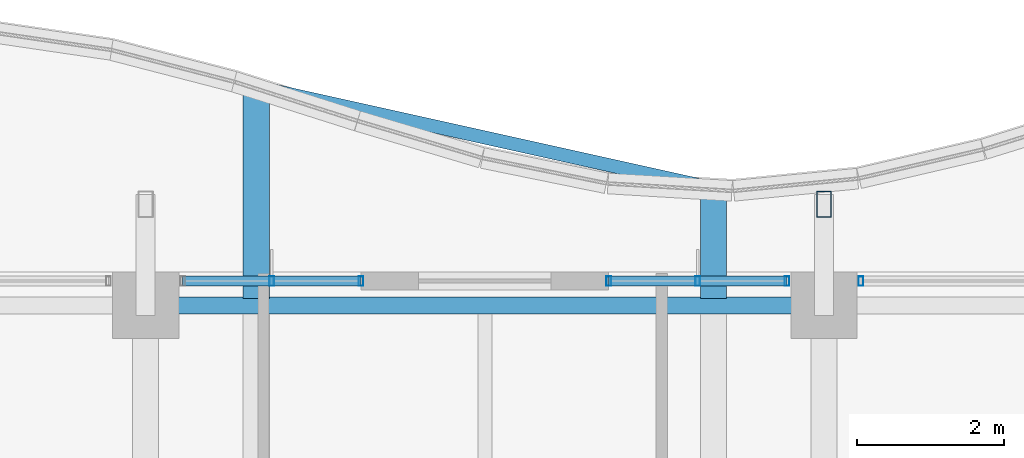
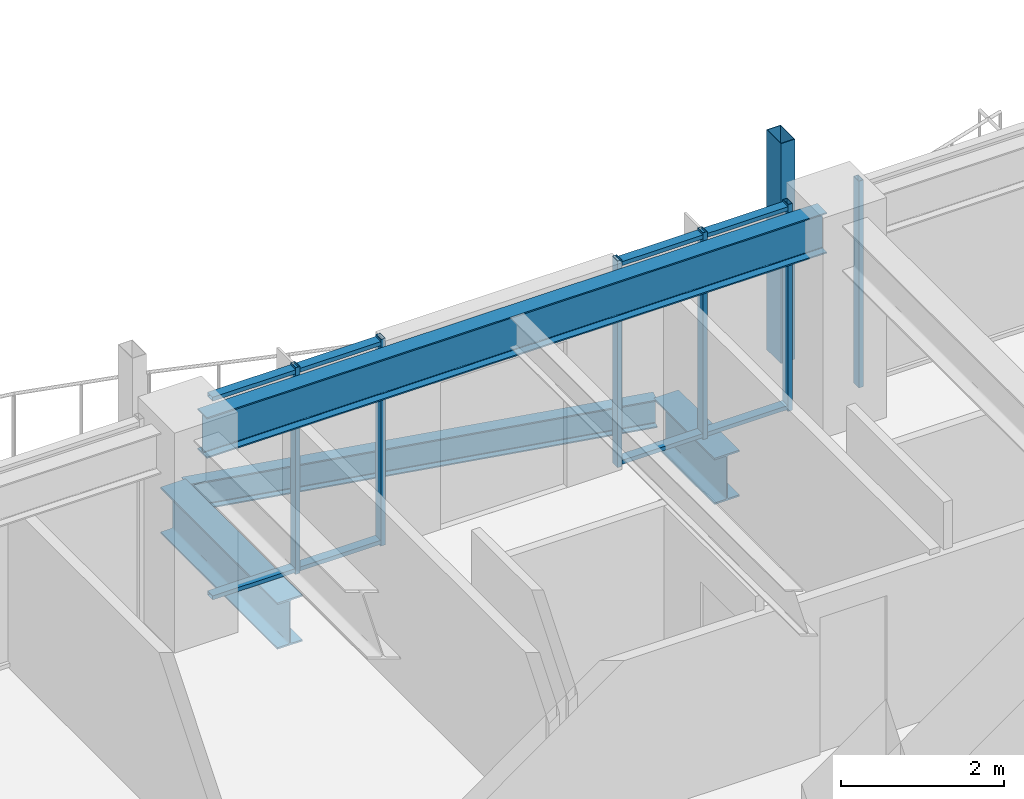
# One storey, part 18 of 32: 11 members, 4 beams, 3 elements without a shape of their own.
"""IFC4 building model written with IfcOpenShell, lengths in metres."""

from ifc_helpers import new_model, si_unit, direction, frame, origin, origin_2d, place, context, subcontext, project, spatial, hollow_rectangle, i_section, extrude, material, material_profile, profile_set, type_object, element, aggregate, save


model = new_model("IFC4")

# Units and contexts
model_context = context("Model", 3, precision=1e-05, world=origin(), true_north=direction((0.0, 1.0)))
body_context = subcontext(model_context, "Body", "Model", "MODEL_VIEW")
ifc_project = project(units=[si_unit("LENGTHUNIT", "METRE"), si_unit("AREAUNIT", "SQUARE_METRE"), si_unit("VOLUMEUNIT", "CUBIC_METRE"), si_unit("PLANEANGLEUNIT", "RADIAN"), si_unit("MASSUNIT", "GRAM", prefix="KILO")], contexts=[model_context])

# Site, building, storey
site_placement = place(None, origin())
site = spatial("IfcSite", under=ifc_project, at=site_placement, CompositionType="ELEMENT")
building_placement = place(site_placement, origin())
building = spatial("IfcBuilding", under=site, at=building_placement, Name="Kolvaren Belvedere", CompositionType="ELEMENT")
storey_placement = place(building_placement, frame((0.0, 0.0, 160.199951171875)))
storey = spatial("IfcBuildingStorey", under=building, at=storey_placement, Name="L46", CompositionType="ELEMENT", Elevation=160.199951171875)

# Beams
ifc_material_1 = material(Name="Structural steel ASTM A992 Grade 50", Category="steel")
ifc_material_profile_1 = material_profile(ifc_material_1, i_section(OverallWidth=0.35498046875, OverallDepth=0.696044921875, WebThickness=0.015380859375, FlangeThickness=0.02490234375, FilletRadius=0.02197265625, at=origin_2d()), Name="W27X146")
ifc_profile_set_1 = profile_set([ifc_material_profile_1], Name="Structural steel ASTM A992 Grade 50")
beam_type_1 = type_object("IfcBeamType", Name="BM-CANT-BAL", PredefinedType="BEAM", material=ifc_profile_set_1)
beam_1_placement = place(storey_placement, frame((-3.10009765625, 18.7451171875, -0.5478515625), z_axis=(0.0, 1.0, 0.0), x_axis=(-1.0, 0.0, 0.0)))
element("IfcBeam", 1, at=beam_1_placement, inside=storey, type_object=beam_type_1, Name="L46 Planted Balcony Cantilever BAL-N-1", PredefinedType="BEAM", context=body_context, shape_type="SweptSolid", body=[
    extrude(i_section(OverallWidth=0.35498046875, OverallDepth=0.696044921875, WebThickness=0.015380859375, FlangeThickness=0.02490234375, FilletRadius=0.02197265625, at=origin_2d()), origin(), (0.0, 0.0, 1.0), 2.869873046875),
])
beam_2_placement = place(storey_placement, frame((3.10009765625, 18.7451171875, -0.5478515625), z_axis=(0.0, 1.0, 0.0), x_axis=(-1.0, 0.0, 0.0)))
element("IfcBeam", 2, at=beam_2_placement, inside=storey, type_object=beam_type_1, Name="L46 Planted Balcony Cantilever BAL-N-2", PredefinedType="BEAM", context=body_context, shape_type="SweptSolid", body=[
    extrude(i_section(OverallWidth=0.35498046875, OverallDepth=0.696044921875, WebThickness=0.015380859375, FlangeThickness=0.02490234375, FilletRadius=0.02197265625, at=origin_2d()), origin(), (0.0, 0.0, 1.0), 1.49267578125),
])
ifc_material_2 = material(Name="Structural steel ASTM A992 Grade 50", Category="steel")
ifc_material_profile_2 = material_profile(ifc_material_2, i_section(OverallWidth=0.180908203125, OverallDepth=0.4169921875, WebThickness=0.010986328125, FlangeThickness=0.018310546875, FilletRadius=0.013916015625, at=origin_2d()), Name="W16X57")
ifc_profile_set_2 = profile_set([ifc_material_profile_2], Name="Structural steel ASTM A992 Grade 50")
beam_type_2 = type_object("IfcBeamType", Name="BM-EDGE-W16X57", PredefinedType="BEAM", material=ifc_profile_set_2)
beam_3_placement = place(storey_placement, frame((-2.96337890625, 21.584716796875, -0.408447265625), z_axis=(0.97620125078, -0.216866590272, 0.0), x_axis=(0.216866590272, 0.97620125078, 0.0)))
element("IfcBeam", 3, at=beam_3_placement, inside=storey, type_object=beam_type_2, Name="L46 Balcony Tip Header Beam BAL-N", PredefinedType="BEAM", context=body_context, shape_type="SweptSolid", body=[
    extrude(i_section(OverallWidth=0.180908203125, OverallDepth=0.4169921875, WebThickness=0.010986328125, FlangeThickness=0.018310546875, FilletRadius=0.013916015625, at=origin_2d()), origin(), (0.0, 0.0, 1.0), 6.0712890625),
])
ifc_material_3 = material(Name="Structural steel ASTM A992 Grade 50", Category="steel")
ifc_material_profile_3 = material_profile(ifc_material_3, i_section(OverallWidth=0.22900390625, OverallDepth=0.612060546875, WebThickness=0.011962890625, FlangeThickness=0.01953125, FilletRadius=0.01806640625, at=origin_2d()), Name="W24X84")
ifc_profile_set_3 = profile_set([ifc_material_profile_3], Name="Structural steel ASTM A992 Grade 50")
beam_type_3 = type_object("IfcBeamType", Name="BM-SPAN-W24X84", PredefinedType="SPANDREL", material=ifc_profile_set_3)
beam_4_placement = place(storey_placement, frame((4.3974609375, 18.64990234375, 2.7939453125), z_axis=(-1.0, 0.0, 0.0), x_axis=(0.0, -1.0, 0.0)))
element("IfcBeam", 4, at=beam_4_placement, inside=storey, type_object=beam_type_3, Name="L46 Perimeter Spandrel N3-N2", PredefinedType="SPANDREL", context=body_context, shape_type="SweptSolid", body=[
    extrude(i_section(OverallWidth=0.22900390625, OverallDepth=0.612060546875, WebThickness=0.011962890625, FlangeThickness=0.01953125, FilletRadius=0.01806640625, at=origin_2d()), origin(), (0.0, 0.0, 1.0), 8.794921875),
])

# Curtain wall, members
ifc_material_4 = material(Name="Anodised pale-metal aluminium AA 6063-T6", Category="aluminium")
curtain_wall_type = type_object("IfcCurtainWallType", Name="CW-Z3-WAIST", PredefinedType="NOTDEFINED", material=ifc_material_4)
curtain_wall_1_placement = place(storey_placement, origin())
curtain_wall_1 = element("IfcCurtainWall", 5, at=curtain_wall_1_placement, inside=storey, type_object=curtain_wall_type, Name="L46 Unitised Curtain Wall FCW-L46-N1-B2", PredefinedType="NOTDEFINED")
ifc_material_5 = material(Name="Anodised pale-metal aluminium AA 6063-T6", Category="aluminium")
ifc_material_profile_4 = material_profile(ifc_material_5, hollow_rectangle(XDim=0.06494140625, YDim=0.1298828125, WallThickness=0.00390625, at=origin_2d()), Name="ALU-MUL-130X65")
ifc_profile_set_4 = profile_set([ifc_material_profile_4], Name="Anodised pale-metal aluminium AA 6063-T6")
member_type_1 = type_object("IfcMemberType", Name="CW-MUL-130", PredefinedType="MULLION", material=ifc_profile_set_4)
member_1_placement = place(storey_placement, frame((-2.888671875, 18.97998046875, 0.0), z_axis=(0.0, 0.0, 1.0), x_axis=(1.0, 0.0, 0.0)))
member_1 = element("IfcMember", 6, at=member_1_placement, type_object=member_type_1, Name="FCW-L46-N1-B2 Unitised Mullion 2", PredefinedType="MULLION", context=body_context, shape_type="SweptSolid", body=[
    extrude(hollow_rectangle(XDim=0.06494140625, YDim=0.1298828125, WallThickness=0.00390625, at=origin_2d()), origin(), (0.0, 0.0, 1.0), 3.10009765625),
])
member_2_placement = place(storey_placement, frame((-1.679931640625, 18.97998046875, 0.0), z_axis=(0.0, 0.0, 1.0), x_axis=(1.0, 0.0, 0.0)))
member_2 = element("IfcMember", 7, at=member_2_placement, type_object=member_type_1, Name="FCW-L46-N1-B2 Unitised Mullion 3", PredefinedType="MULLION", context=body_context, shape_type="SweptSolid", body=[
    extrude(hollow_rectangle(XDim=0.06494140625, YDim=0.1298828125, WallThickness=0.00390625, at=origin_2d()), origin(), (0.0, 0.0, 1.0), 3.10009765625),
])

curtain_wall_2_placement = place(storey_placement, origin())
curtain_wall_2 = element("IfcCurtainWall", 8, at=curtain_wall_2_placement, inside=storey, type_object=curtain_wall_type, Name="L46 Unitised Curtain Wall FCW-L46-N2-B1", PredefinedType="NOTDEFINED")
member_3_placement = place(storey_placement, frame((1.679931640625, 18.97998046875, 0.0), z_axis=(0.0, 0.0, 1.0), x_axis=(1.0, 0.0, 0.0)))
member_3 = element("IfcMember", 9, at=member_3_placement, type_object=member_type_1, Name="FCW-L46-N2-B1 Unitised Mullion 1", PredefinedType="MULLION", context=body_context, shape_type="SweptSolid", body=[
    extrude(hollow_rectangle(XDim=0.06494140625, YDim=0.1298828125, WallThickness=0.00390625, at=origin_2d()), origin(), (0.0, 0.0, 1.0), 3.10009765625),
])
member_4_placement = place(storey_placement, frame((2.888671875, 18.97998046875, 0.0), z_axis=(0.0, 0.0, 1.0), x_axis=(1.0, 0.0, 0.0)))
member_4 = element("IfcMember", 10, at=member_4_placement, type_object=member_type_1, Name="FCW-L46-N2-B1 Unitised Mullion 2", PredefinedType="MULLION", context=body_context, shape_type="SweptSolid", body=[
    extrude(hollow_rectangle(XDim=0.06494140625, YDim=0.1298828125, WallThickness=0.00390625, at=origin_2d()), origin(), (0.0, 0.0, 1.0), 3.10009765625),
])
member_5_placement = place(storey_placement, frame((4.097412109375, 18.97998046875, 0.0), z_axis=(0.0, 0.0, 1.0), x_axis=(1.0, 0.0, 0.0)))
member_5 = element("IfcMember", 11, at=member_5_placement, type_object=member_type_1, Name="FCW-L46-N2-B1 Unitised Mullion 3", PredefinedType="MULLION", context=body_context, shape_type="SweptSolid", body=[
    extrude(hollow_rectangle(XDim=0.06494140625, YDim=0.1298828125, WallThickness=0.00390625, at=origin_2d()), origin(), (0.0, 0.0, 1.0), 3.10009765625),
])

# Curtain wall, member
curtain_wall_3_placement = place(storey_placement, origin())
curtain_wall_3 = element("IfcCurtainWall", 12, at=curtain_wall_3_placement, inside=storey, type_object=curtain_wall_type, Name="L46 Unitised Curtain Wall FCW-L46-N2-B2", PredefinedType="NOTDEFINED")
member_6_placement = place(storey_placement, frame((5.1025390625, 18.97998046875, 0.0), z_axis=(0.0, 0.0, 1.0), x_axis=(1.0, 0.0, 0.0)))
member_6 = element("IfcMember", 13, at=member_6_placement, type_object=member_type_1, Name="FCW-L46-N2-B2 Unitised Mullion 1", PredefinedType="MULLION", context=body_context, shape_type="SweptSolid", body=[
    extrude(hollow_rectangle(XDim=0.06494140625, YDim=0.1298828125, WallThickness=0.00390625, at=origin_2d()), origin(), (0.0, 0.0, 1.0), 3.10009765625),
])
aggregate(curtain_wall_3, [member_6])

# Member
ifc_material_6 = material(Name="Anodised pale-metal aluminium AA 6063-T6", Category="aluminium")
ifc_material_profile_5 = material_profile(ifc_material_6, hollow_rectangle(XDim=0.06005859375, YDim=0.1298828125, WallThickness=0.00390625, at=origin_2d()), Name="ALU-TRN-130X60")
ifc_profile_set_5 = profile_set([ifc_material_profile_5], Name="Anodised pale-metal aluminium AA 6063-T6")
member_type_2 = type_object("IfcMemberType", Name="CW-TRN-130", PredefinedType="USERDEFINED", material=ifc_profile_set_5)
member_7_placement = place(storey_placement, frame((-4.097412109375, 18.97998046875, 0.06005859375), z_axis=(1.0, 0.0, 0.0), x_axis=(0.0, 0.0, 1.0)))
member_7 = element("IfcMember", 14, at=member_7_placement, type_object=member_type_2, Name="FCW-L46-N1-B2 Sill Transom", ObjectType="TRANSOM", PredefinedType="USERDEFINED", context=body_context, shape_type="SweptSolid", body=[
    extrude(hollow_rectangle(XDim=0.06005859375, YDim=0.1298828125, WallThickness=0.00390625, at=origin_2d()), origin(), (0.0, 0.0, 1.0), 2.41748046875),
])

member_8_placement = place(storey_placement, frame((-4.097412109375, 18.97998046875, 3.0400390625), z_axis=(1.0, 0.0, 0.0), x_axis=(0.0, 0.0, 1.0)))
member_8 = element("IfcMember", 15, at=member_8_placement, type_object=member_type_2, Name="FCW-L46-N1-B2 Head Transom", ObjectType="TRANSOM", PredefinedType="USERDEFINED", context=body_context, shape_type="SweptSolid", body=[
    extrude(hollow_rectangle(XDim=0.06005859375, YDim=0.1298828125, WallThickness=0.00390625, at=origin_2d()), origin(), (0.0, 0.0, 1.0), 2.41748046875),
])

aggregate(curtain_wall_1, [member_1, member_2, member_7, member_8])

member_9_placement = place(storey_placement, frame((1.679931640625, 18.97998046875, 0.06005859375), z_axis=(1.0, 0.0, 0.0), x_axis=(0.0, 0.0, 1.0)))
member_9 = element("IfcMember", 16, at=member_9_placement, type_object=member_type_2, Name="FCW-L46-N2-B1 Sill Transom", ObjectType="TRANSOM", PredefinedType="USERDEFINED", context=body_context, shape_type="SweptSolid", body=[
    extrude(hollow_rectangle(XDim=0.06005859375, YDim=0.1298828125, WallThickness=0.00390625, at=origin_2d()), origin(), (0.0, 0.0, 1.0), 2.41748046875),
])

member_10_placement = place(storey_placement, frame((1.679931640625, 18.97998046875, 3.0400390625), z_axis=(1.0, 0.0, 0.0), x_axis=(0.0, 0.0, 1.0)))
member_10 = element("IfcMember", 17, at=member_10_placement, type_object=member_type_2, Name="FCW-L46-N2-B1 Head Transom", ObjectType="TRANSOM", PredefinedType="USERDEFINED", context=body_context, shape_type="SweptSolid", body=[
    extrude(hollow_rectangle(XDim=0.06005859375, YDim=0.1298828125, WallThickness=0.00390625, at=origin_2d()), origin(), (0.0, 0.0, 1.0), 2.41748046875),
])

aggregate(curtain_wall_2, [member_3, member_4, member_5, member_9, member_10])

ifc_material_7 = material(Name="Anodised pale-metal aluminium AA 6063-T6", Category="aluminium")
ifc_material_profile_6 = material_profile(ifc_material_7, hollow_rectangle(XDim=0.199951171875, YDim=0.35009765625, WallThickness=0.007568359375, at=origin_2d()), Name="ALU-PF-350X200")
ifc_profile_set_6 = profile_set([ifc_material_profile_6], Name="Anodised pale-metal aluminium AA 6063-T6")
member_type_3 = type_object("IfcMemberType", Name="PF-FRAME-350", PredefinedType="USERDEFINED", material=ifc_profile_set_6)
member_11_placement = place(storey_placement, frame((4.60009765625, 20.02001953125, 0.0), z_axis=(0.0, 0.0, 1.0), x_axis=(1.0, 0.0, 0.0)))
element("IfcMember", 18, at=member_11_placement, inside=storey, type_object=member_type_3, Name="L46 Outboard Picture-Frame Vertical N2", ObjectType="PICTURE FRAME FIN", PredefinedType="USERDEFINED", context=body_context, shape_type="SweptSolid", body=[
    extrude(hollow_rectangle(XDim=0.199951171875, YDim=0.35009765625, WallThickness=0.007568359375, at=origin_2d()), origin(), (0.0, 0.0, 1.0), 3.300048828125),
])

save(model, "model.ifc")
